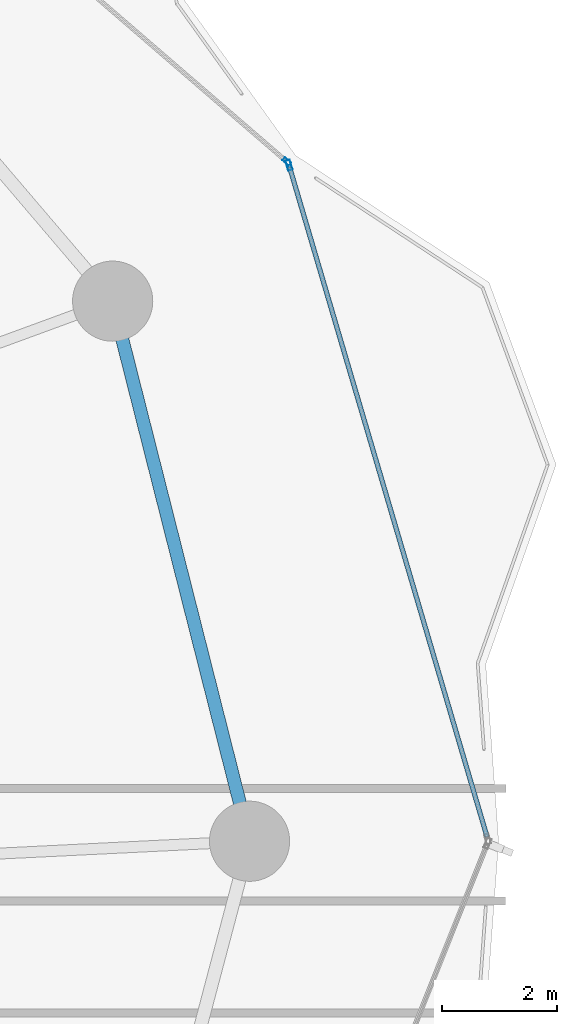
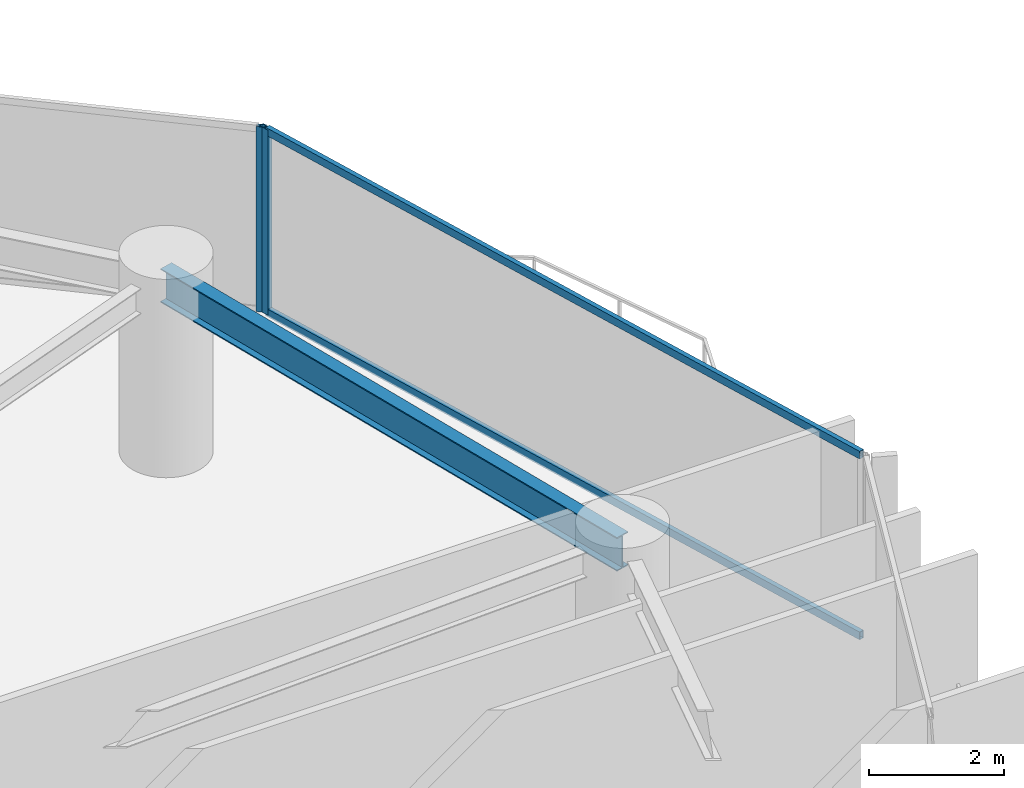
# One storey, part 24 of 33: 4 members, 1 beam, 2 elements without a shape of their own.
"""IFC4 building model written with IfcOpenShell, lengths in metres."""

from ifc_helpers import new_model, si_unit, direction, frame, origin, origin_2d, place, context, subcontext, project, spatial, hollow_rectangle, i_section, extrude, material, layer, layer_set, material_profile, profile_set, type_object, element, aggregate, save


model = new_model("IFC4")

# Units and contexts
model_context = context("Model", 3, precision=1e-05, world=origin(), true_north=direction((0.0, 1.0)))
body_context = subcontext(model_context, "Body", "Model", "MODEL_VIEW")
ifc_project = project(units=[si_unit("LENGTHUNIT", "METRE"), si_unit("AREAUNIT", "SQUARE_METRE"), si_unit("VOLUMEUNIT", "CUBIC_METRE"), si_unit("PLANEANGLEUNIT", "RADIAN"), si_unit("MASSUNIT", "GRAM", prefix="KILO")], contexts=[model_context])

# Site, building, storey
site_placement = place(None, origin())
site = spatial("IfcSite", under=ifc_project, at=site_placement, CompositionType="ELEMENT")
building_placement = place(site_placement, origin())
building = spatial("IfcBuilding", under=site, at=building_placement, Name="Kazevale Care Tower and Concert Hall", CompositionType="ELEMENT")
storey_placement = place(building_placement, frame((0.0, 0.0, 45.60009765625)))
storey = spatial("IfcBuildingStorey", under=building, at=storey_placement, Name="L11", CompositionType="ELEMENT", Elevation=45.60009765625)

# Curtain wall, member
ifc_material_1 = material(Name="Aluminium 6063-T6 and Low-E Glass", Category="aluminium")
ifc_layer_1 = layer(ifc_material_1, 0.179931640625)
ifc_layer_set_1 = layer_set([ifc_layer_1], Name="Aluminium 6063-T6 and Low-E Glass")
curtain_wall_type_1 = type_object("IfcCurtainWallType", Name="Convex Recessed Sunroom Curtain Wall CW-3", PredefinedType="NOTDEFINED", material=ifc_layer_set_1)
curtain_wall_1_placement = place(storey_placement, origin())
curtain_wall_1 = element("IfcCurtainWall", 1, at=curtain_wall_1_placement, inside=storey, type_object=curtain_wall_type_1, Name="cw:L11:f17", PredefinedType="NOTDEFINED")
ifc_material_2 = material(Name="Aluminium 6063-T6", Category="aluminium")
ifc_material_profile_1 = material_profile(ifc_material_2, hollow_rectangle(XDim=0.074951171875, YDim=0.14990234375, WallThickness=0.00390625, at=origin_2d()), Name="ALU75x150x4")
ifc_profile_set_1 = profile_set([ifc_material_profile_1], Name="Aluminium 6063-T6")
member_type_1 = type_object("IfcMemberType", Name="CW-3 Mullion ALU75x150x4", PredefinedType="MULLION", material=ifc_profile_set_1)
member_1_placement = place(storey_placement, frame((77.099609375, 49.867431640625, 0.0), z_axis=(0.0, 0.0, 1.0), x_axis=(0.653183596561, 0.757199570248, 0.0)))
member_1 = element("IfcMember", 2, at=member_1_placement, type_object=member_type_1, Name="CW-3 mullion 2", PredefinedType="MULLION", context=body_context, shape_type="SweptSolid", body=[
    extrude(hollow_rectangle(XDim=0.074951171875, YDim=0.14990234375, WallThickness=0.00390625, at=origin_2d()), origin(), (0.0, 0.0, 1.0), 3.35986328125),
])
aggregate(curtain_wall_1, [member_1])

# Curtain wall, members
ifc_layer_2 = layer(ifc_material_1, 0.179931640625)
ifc_layer_set_2 = layer_set([ifc_layer_2], Name="Aluminium 6063-T6 and Low-E Glass")
curtain_wall_type_2 = type_object("IfcCurtainWallType", Name="Waist & Upper Residential Curtain Wall CW-4", PredefinedType="NOTDEFINED", material=ifc_layer_set_2)
curtain_wall_2_placement = place(storey_placement, origin())
curtain_wall_2 = element("IfcCurtainWall", 3, at=curtain_wall_2_placement, inside=storey, type_object=curtain_wall_type_2, Name="cw:L11:f18", PredefinedType="NOTDEFINED")
ifc_material_profile_2 = material_profile(ifc_material_2, hollow_rectangle(XDim=0.080078125, YDim=0.179931640625, WallThickness=0.0048828125, at=origin_2d()), Name="ALU80x180x5")
ifc_profile_set_2 = profile_set([ifc_material_profile_2], Name="Aluminium 6063-T6")
member_type_2 = type_object("IfcMemberType", Name="CW-4 Mullion ALU80x180x5", PredefinedType="MULLION", material=ifc_profile_set_2)
member_2_placement = place(storey_placement, frame((77.139404296875, 49.8046875, 0.0), z_axis=(0.0, 0.0, 1.0), x_axis=(0.959173119586, 0.282819600918, 0.0)))
member_2 = element("IfcMember", 4, at=member_2_placement, type_object=member_type_2, Name="CW-4 mullion 1", PredefinedType="MULLION", context=body_context, shape_type="SweptSolid", body=[
    extrude(hollow_rectangle(XDim=0.080078125, YDim=0.179931640625, WallThickness=0.0048828125, at=origin_2d()), origin(), (0.0, 0.0, 1.0), 3.35986328125),
])
ifc_material_profile_3 = material_profile(ifc_material_2, hollow_rectangle(XDim=0.080078125, YDim=0.139892578125, WallThickness=0.00390625, at=origin_2d()), Name="ALU80x140x4")
ifc_profile_set_3 = profile_set([ifc_material_profile_3], Name="Aluminium 6063-T6")
member_type_3 = type_object("IfcMemberType", Name="CW-4 Transom ALU80x140x4", PredefinedType="USERDEFINED", material=ifc_profile_set_3)
member_3_placement = place(storey_placement, frame((77.150634765625, 49.766357421875, 0.039794921875), z_axis=(0.282818078945, -0.95917356835, 0.0), x_axis=(0.95917356835, 0.282818078945, 0.0)))
member_3 = element("IfcMember", 5, at=member_3_placement, type_object=member_type_3, Name="CW-4 transom 1.1", ObjectType="TRANSOM", PredefinedType="USERDEFINED", context=body_context, shape_type="SweptSolid", body=[
    extrude(hollow_rectangle(XDim=0.080078125, YDim=0.139892578125, WallThickness=0.00390625, at=origin_2d()), origin(), (0.0, 0.0, 1.0), 12.187255859375),
])
member_4_placement = place(storey_placement, frame((77.150634765625, 49.766357421875, 3.31982421875), z_axis=(0.282818078945, -0.95917356835, 0.0), x_axis=(0.95917356835, 0.282818078945, 0.0)))
member_4 = element("IfcMember", 6, at=member_4_placement, type_object=member_type_3, Name="CW-4 transom 1.2", ObjectType="TRANSOM", PredefinedType="USERDEFINED", context=body_context, shape_type="SweptSolid", body=[
    extrude(hollow_rectangle(XDim=0.080078125, YDim=0.139892578125, WallThickness=0.00390625, at=origin_2d()), origin(), (0.0, 0.0, 1.0), 12.187255859375),
])
aggregate(curtain_wall_2, [member_2, member_3, member_4])

# Beam
ifc_material_3 = material(Name="Steel ASTM A572 Gr 50", Category="steel")
ifc_material_profile_4 = material_profile(ifc_material_3, i_section(OverallWidth=0.22900390625, OverallDepth=0.612060546875, WebThickness=0.011962890625, FlangeThickness=0.01953125, at=origin_2d()), Name="W610x125")
ifc_profile_set_4 = profile_set([ifc_material_profile_4], Name="Steel ASTM A572 Gr 50")
beam_type = type_object("IfcBeamType", Name="Ring Spandrel Beam W610x125", PredefinedType="SPANDREL", material=ifc_profile_set_4)
beam_placement = place(storey_placement, frame((76.449951171875, 38.0, 3.053955078125), z_axis=(-0.245669948409, 0.969353535326, 0.0), x_axis=(-0.969353535326, -0.245669948409, 0.0)))
element("IfcBeam", 7, at=beam_placement, inside=storey, type_object=beam_type, Name="beam:L11:ring:01", PredefinedType="SPANDREL", context=body_context, shape_type="SweptSolid", body=[
    extrude(i_section(OverallWidth=0.22900390625, OverallDepth=0.612060546875, WebThickness=0.011962890625, FlangeThickness=0.01953125, at=origin_2d()), origin(), (0.0, 0.0, 1.0), 9.72802734375),
])

save(model, "model.ifc")
